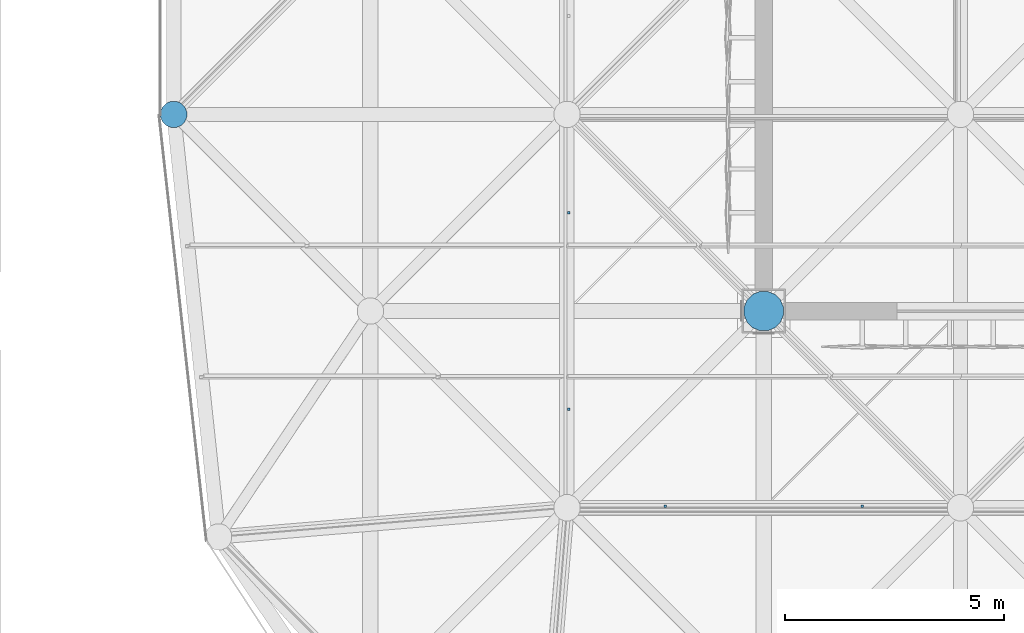
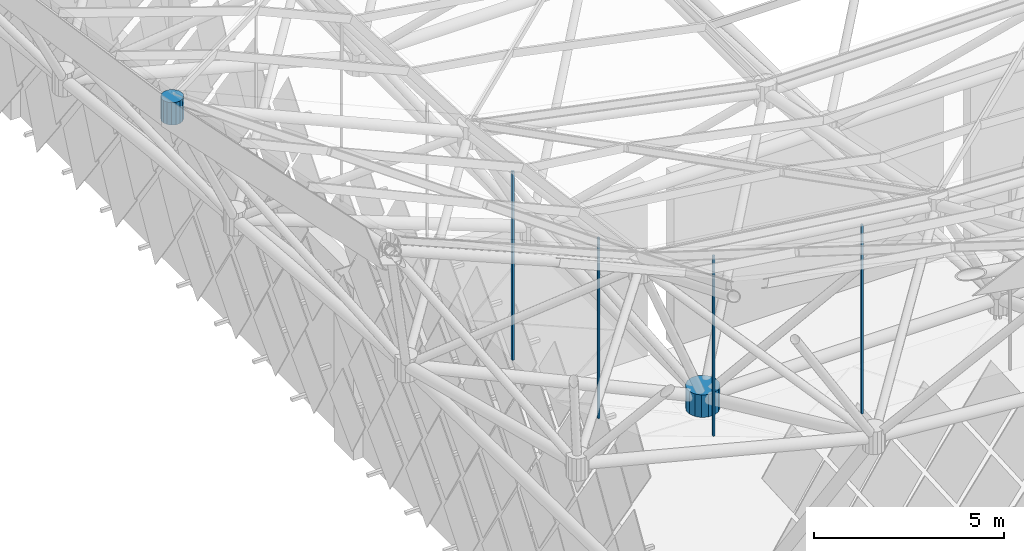
# One storey, part 286 of 437: 6 discrete accessories.
"""IFC4 building model written with IfcOpenShell, lengths in metres."""

import ifcopenshell
import ifcopenshell.guid

model = None  # the IFC model being written
_history = None  # IfcOwnerHistory: only IFC2X3 demands one
_inside = {}  # id of a spatial element -> (the spatial element, [elements in it])
_under = {}  # id of a project, library or spatial element -> (it, [spatial elements below it])
_declared = {}  # id of a project -> (the project, [libraries it declares])
_typed = {}  # id of a type object -> (the type object, [elements of that type])
_made_of = {}  # id of a material, layer set ... -> (it, [elements and type objects made of it])


def new_model(schema):
    """Start an empty IFC model of exactly this schema.

    Asked for "IFC4X3", IfcOpenShell would pick the latest addendum, in which some entities
    have other attributes; the version numbers below select the first issue.
    IFC2X3 requires an IfcOwnerHistory on every rooted entity: one is made here for all.
    """
    global model, _history
    if schema == "IFC4X3":
        model = ifcopenshell.file(schema_version=(4, 3, 0, 0))
    else:
        model = ifcopenshell.file(schema=schema)
    _inside.clear()
    _under.clear()
    _declared.clear()
    _typed.clear()
    _made_of.clear()
    _history = None
    if model.schema == "IFC2X3":
        org = make("IfcOrganization", Name="unknown")
        user = make(
            "IfcPersonAndOrganization",
            ThePerson=make("IfcPerson", FamilyName="unknown"),
            TheOrganization=org,
        )
        app = make(
            "IfcApplication",
            ApplicationDeveloper=org,
            Version="unknown",
            ApplicationFullName="unknown",
            ApplicationIdentifier="unknown",
        )
        _history = make(
            "IfcOwnerHistory",
            OwningUser=user,
            OwningApplication=app,
            ChangeAction="ADDED",
            CreationDate=0,
        )
    return model


def make(cls, **values):
    """One entity of the class cls with the attributes given. An attribute that is None is left unset."""
    return model.create_entity(
        cls, **{name: value for name, value in values.items() if value is not None}
    )


def rooted(cls, **values):
    """An entity with a GlobalId (a new one), such as an element, a storey or a relation."""
    return make(cls, GlobalId=ifcopenshell.guid.new(), OwnerHistory=_history, **values)


def si_unit(unit_type, name, prefix=None):
    """IfcSIUnit, for example si_unit("LENGTHUNIT", "METRE", prefix="MILLI")."""
    return make("IfcSIUnit", UnitType=unit_type, Prefix=prefix, Name=name)


def assignment(units):
    """IfcUnitAssignment: the units of a project."""
    return None if units is None else make("IfcUnitAssignment", Units=units)


def point(xyz):
    """IfcCartesianPoint."""
    return None if xyz is None else make("IfcCartesianPoint", Coordinates=xyz)


def direction(xyz):
    """IfcDirection."""
    return None if xyz is None else make("IfcDirection", DirectionRatios=xyz)


def frame(location, z_axis=None, x_axis=None):
    """IfcAxis2Placement3D, a coordinate frame: its origin and axes. An axis left out is left unset."""
    return make(
        "IfcAxis2Placement3D",
        Location=point(location),
        Axis=direction(z_axis),
        RefDirection=direction(x_axis),
    )


def origin():
    """The frame at (0, 0, 0) with its axes left unset."""
    return frame((0.0, 0.0, 0.0))


def place(relative_to, where):
    """IfcLocalPlacement: puts the frame where relative to a parent placement (None: the world)."""
    return make(
        "IfcLocalPlacement", PlacementRelTo=relative_to, RelativePlacement=where
    )


def context(
    kind, dimensions, precision=None, world=None, true_north=None, identifier=None
):
    """IfcGeometricRepresentationContext, for example the 3D "Model" context."""
    return make(
        "IfcGeometricRepresentationContext",
        ContextIdentifier=identifier,
        ContextType=kind,
        CoordinateSpaceDimension=dimensions,
        Precision=precision,
        WorldCoordinateSystem=world,
        TrueNorth=true_north,
    )


def subcontext(parent, identifier, kind, view, scale=None):
    """IfcGeometricRepresentationSubContext, for example "Body" below "Model"."""
    return make(
        "IfcGeometricRepresentationSubContext",
        ContextIdentifier=identifier,
        ContextType=kind,
        ParentContext=parent,
        TargetScale=scale,
        TargetView=view,
    )


def project(units=None, contexts=None):
    """IfcProject with its units and contexts."""
    return rooted(
        "IfcProject",
        Name="project",
        RepresentationContexts=contexts,
        UnitsInContext=assignment(units),
    )


def spatial(cls, under=None, at=None, **own):
    """A site, building, storey or space (cls), placed at a placement, below another one or the project."""
    s = rooted(cls, ObjectPlacement=at, **own)
    if under is not None:
        _under.setdefault(under.id(), (under, []))[1].append(s)
    return s


def polyline(points):
    """IfcPolyline through the points."""
    return make("IfcPolyline", Points=[point(p) for p in points])


def outline(outer, holes=None, kind="AREA"):
    """IfcArbitraryClosedProfileDef: a profile drawn as a closed curve; with holes, ...WithVoids."""
    if holes is None:
        return make("IfcArbitraryClosedProfileDef", ProfileType=kind, OuterCurve=outer)
    return make(
        "IfcArbitraryProfileDefWithVoids",
        ProfileType=kind,
        OuterCurve=outer,
        InnerCurves=holes,
    )


def extrude(swept, where, along, depth):
    """IfcExtrudedAreaSolid: the profile swept, set in the frame where, extruded along a direction by depth."""
    return make(
        "IfcExtrudedAreaSolid",
        SweptArea=swept,
        Position=where,
        ExtrudedDirection=direction(along),
        Depth=depth,
    )


def shape(context_of_items, identifier, shape_type, items):
    """IfcShapeRepresentation: the items that make up one representation, for example the "Body"."""
    return make(
        "IfcShapeRepresentation",
        ContextOfItems=context_of_items,
        RepresentationIdentifier=identifier,
        RepresentationType=shape_type,
        Items=items,
    )


def material(Name=None, Category=None):
    """IfcMaterial."""
    return make("IfcMaterial", Name=Name, Category=Category)


def made_of(thing, what):
    """Note that an element or type object is made of a material, layer set ...; save() writes the relation."""
    if what is not None:
        _made_of.setdefault(what.id(), (what, []))[1].append(thing)
    return thing


def type_object(cls, material=None, **own):
    """A type object (cls), such as IfcWallType, which elements share."""
    return made_of(rooted(cls, **own), material)


def element(
    cls,
    number,
    at=None,
    inside=None,
    cuts=None,
    type_object=None,
    material=None,
    context=None,
    identifier="Body",
    shape_type=None,
    held_by="IfcProductDefinitionShape",
    body=None,
    shapes=None,
    **own,
):
    """One element of the class cls, such as IfcWall. Its Tag is "e" and its number.

    at: its placement. inside: the storey or other place that contains it. cuts: it is an
    opening in that element (IfcRelVoidsElement). A single representation is given by context,
    identifier, shape_type and body (its items); several are given by shapes. held_by: the class
    of the entity that holds the representations. save() writes the other relations.
    """
    e = rooted(cls, Tag="e%d" % number, ObjectPlacement=at, **own)
    if body is not None:
        shapes = [shape(context, identifier, shape_type, body)]
    if shapes is not None:
        e.Representation = make(held_by, Representations=shapes)
    if inside is not None:
        _inside.setdefault(inside.id(), (inside, []))[1].append(e)
    if cuts is not None:
        rooted(
            "IfcRelVoidsElement", RelatingBuildingElement=cuts, RelatedOpeningElement=e
        )
    if type_object is not None:
        _typed.setdefault(type_object.id(), (type_object, []))[1].append(e)
    return made_of(e, material)


def aggregate(whole, parts):
    """IfcRelAggregates: a whole, such as a stair, and the parts it consists of."""
    return rooted("IfcRelAggregates", RelatingObject=whole, RelatedObjects=parts)


def save(model, path):
    """Write the relations noted so far, then the file.

    IfcRelAggregates (storeys below a building ...), IfcRelContainedInSpatialStructure (elements
    in a storey), IfcRelDefinesByType, IfcRelAssociatesMaterial and IfcRelDeclares: one each for
    every whole, place, type object, material and project.
    """
    for whole, parts in _under.values():
        aggregate(whole, parts)
    for where, things in _inside.values():
        rooted(
            "IfcRelContainedInSpatialStructure",
            RelatedElements=things,
            RelatingStructure=where,
        )
    for kind, things in _typed.values():
        rooted("IfcRelDefinesByType", RelatedObjects=things, RelatingType=kind)
    for what, things in _made_of.values():
        rooted("IfcRelAssociatesMaterial", RelatedObjects=things, RelatingMaterial=what)
    for by, libraries in _declared.values():
        rooted("IfcRelDeclares", RelatingContext=by, RelatedDefinitions=libraries)
    model.write(path)


model = new_model("IFC4")

# Units and contexts
model_context = context("Model", 3, precision=1e-05, world=origin(), true_north=direction((0.0, 1.0)))
body_context = subcontext(model_context, "Body", "Model", "MODEL_VIEW")
ifc_project = project(units=[si_unit("LENGTHUNIT", "METRE"), si_unit("AREAUNIT", "SQUARE_METRE"), si_unit("VOLUMEUNIT", "CUBIC_METRE"), si_unit("PLANEANGLEUNIT", "RADIAN"), si_unit("MASSUNIT", "GRAM", prefix="KILO")], contexts=[model_context])

# Site, building, storey
site_placement = place(None, origin())
site = spatial("IfcSite", under=ifc_project, at=site_placement, CompositionType="ELEMENT")
building_placement = place(site_placement, origin())
building = spatial("IfcBuilding", under=site, at=building_placement, Name="Opaline Strait Convention Centre", CompositionType="ELEMENT")
storey_placement = place(building_placement, frame((0.0, 0.0, 11.5)))
storey = spatial("IfcBuildingStorey", under=building, at=storey_placement, Name="L02", CompositionType="ELEMENT", Elevation=11.5)

# Discrete accessories
ifc_material_1 = material(Name="Steel Q355B", Category="steel")
discrete_accessory_type_1 = type_object("IfcDiscreteAccessoryType", Name="Soffit hanger 60x60 steel", PredefinedType="BRACKET", material=ifc_material_1)
discrete_accessory_1_placement = place(storey_placement, frame((0.0, 0.0, 14.73193359375)))
element("IfcDiscreteAccessory", 1, at=discrete_accessory_1_placement, inside=storey, type_object=discrete_accessory_type_1, Name="Soffit hanger", PredefinedType="BRACKET", context=body_context, shape_type="SweptSolid", body=[
    extrude(outline(polyline([(96.719970703125, 49.5048828125), (96.780029296875, 49.5048828125), (96.780029296875, 49.56494140625), (96.719970703125, 49.56494140625), (96.719970703125, 49.5048828125)])), origin(), (0.0, 0.0, 1.0), 5.793701171875),
])
discrete_accessory_2_placement = place(storey_placement, frame((0.0, 0.0, 14.73193359375)))
element("IfcDiscreteAccessory", 2, at=discrete_accessory_2_placement, inside=storey, type_object=discrete_accessory_type_1, Name="Soffit hanger", PredefinedType="BRACKET", context=body_context, shape_type="SweptSolid", body=[
    extrude(outline(polyline([(94.5048828125, 51.719970703125), (94.56494140625, 51.719970703125), (94.56494140625, 51.780029296875), (94.5048828125, 51.780029296875), (94.5048828125, 51.719970703125)])), origin(), (0.0, 0.0, 1.0), 5.793701171875),
])
discrete_accessory_3_placement = place(storey_placement, frame((0.0, 0.0, 13.872314453125)))
element("IfcDiscreteAccessory", 3, at=discrete_accessory_3_placement, inside=storey, type_object=discrete_accessory_type_1, Name="Soffit hanger", PredefinedType="BRACKET", context=body_context, shape_type="SweptSolid", body=[
    extrude(outline(polyline([(94.5048828125, 56.219970703125), (94.56494140625, 56.219970703125), (94.56494140625, 56.280029296875), (94.5048828125, 56.280029296875), (94.5048828125, 56.219970703125)])), origin(), (0.0, 0.0, 1.0), 6.0673828125),
])
discrete_accessory_4_placement = place(storey_placement, frame((0.0, 0.0, 13.872314453125)))
element("IfcDiscreteAccessory", 4, at=discrete_accessory_4_placement, inside=storey, type_object=discrete_accessory_type_1, Name="Soffit hanger", PredefinedType="BRACKET", context=body_context, shape_type="SweptSolid", body=[
    extrude(outline(polyline([(101.219970703125, 49.5048828125), (101.280029296875, 49.5048828125), (101.280029296875, 49.56494140625), (101.219970703125, 49.56494140625), (101.219970703125, 49.5048828125)])), origin(), (0.0, 0.0, 1.0), 6.0673828125),
])
ifc_material_2 = material(Name="Cast steel ZG300-500H (300 MPa)", Category="steel")
discrete_accessory_type_2 = type_object("IfcDiscreteAccessoryType", Name="Space frame bearing node hub D900", PredefinedType="USERDEFINED", material=ifc_material_2)
discrete_accessory_5_placement = place(storey_placement, frame((0.0, 0.0, 12.139892578125)))
element("IfcDiscreteAccessory", 5, at=discrete_accessory_5_placement, inside=storey, type_object=discrete_accessory_type_2, Name="Bottom node 2/2", ObjectType="NODE HUB", PredefinedType="USERDEFINED", context=body_context, shape_type="SweptSolid", body=[
    extrude(outline(polyline([(99.449951171875, 54.089599609375), (99.381591796875, 54.2548828125), (99.2548828125, 54.381591796875), (99.089599609375, 54.449951171875), (98.910400390625, 54.449951171875), (98.7451171875, 54.381591796875), (98.618408203125, 54.2548828125), (98.550048828125, 54.089599609375), (98.550048828125, 53.910400390625), (98.618408203125, 53.7451171875), (98.7451171875, 53.618408203125), (98.910400390625, 53.550048828125), (99.089599609375, 53.550048828125), (99.2548828125, 53.618408203125), (99.381591796875, 53.7451171875), (99.449951171875, 53.910400390625), (99.449951171875, 54.089599609375)])), origin(), (0.0, 0.0, 1.0), 0.72021484375),
])
discrete_accessory_type_3 = type_object("IfcDiscreteAccessoryType", Name="Space frame node hub D600", PredefinedType="USERDEFINED", material=ifc_material_2)
discrete_accessory_6_placement = place(storey_placement, frame((0.0, 0.0, 23.408203125)))
element("IfcDiscreteAccessory", 6, at=discrete_accessory_6_placement, inside=storey, type_object=discrete_accessory_type_3, Name="Top node 1/3", ObjectType="NODE HUB", PredefinedType="USERDEFINED", context=body_context, shape_type="SweptSolid", body=[
    extrude(outline(polyline([(85.800048828125, 58.559814453125), (85.75439453125, 58.669921875), (85.669921875, 58.75439453125), (85.559814453125, 58.800048828125), (85.440185546875, 58.800048828125), (85.330078125, 58.75439453125), (85.24560546875, 58.669921875), (85.199951171875, 58.559814453125), (85.199951171875, 58.440185546875), (85.24560546875, 58.330078125), (85.330078125, 58.24560546875), (85.440185546875, 58.199951171875), (85.559814453125, 58.199951171875), (85.669921875, 58.24560546875), (85.75439453125, 58.330078125), (85.800048828125, 58.440185546875), (85.800048828125, 58.559814453125)])), origin(), (0.0, 0.0, 1.0), 0.719970703125),
])

save(model, "model.ifc")
